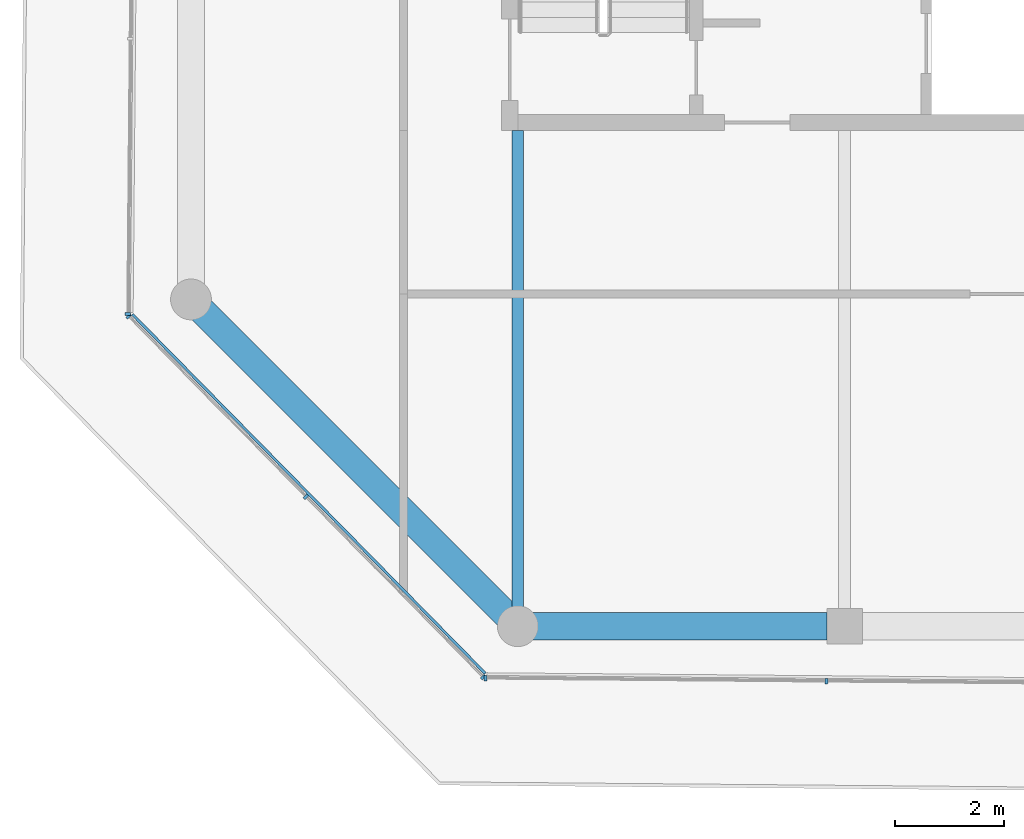
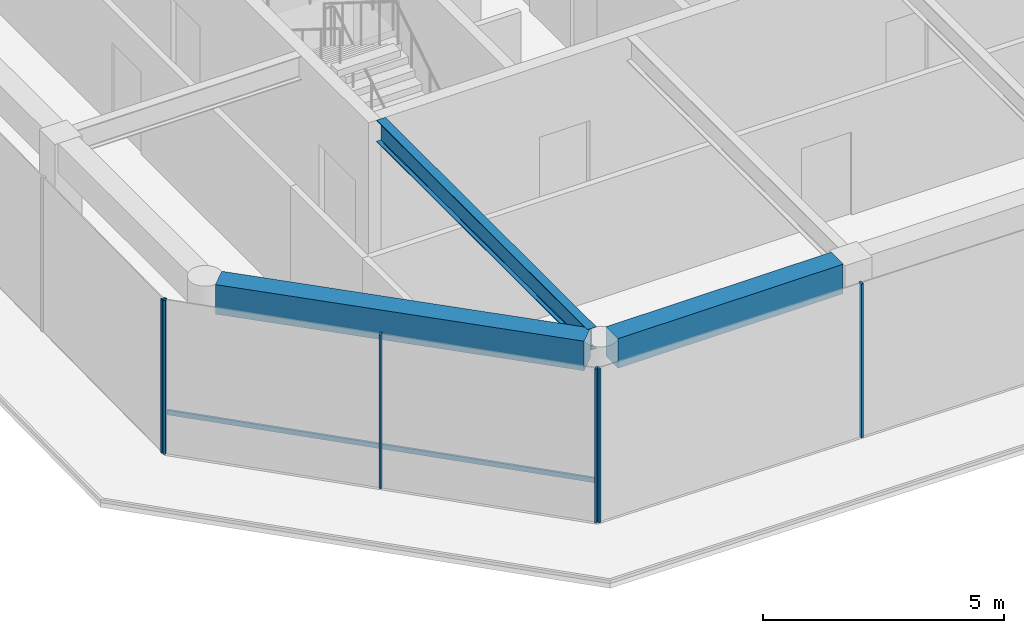
# One storey, part 2 of 17: 7 members, 3 beams, 3 elements without a shape of their own.
"""IFC4 building model written with IfcOpenShell, lengths in metres."""

from ifc_helpers import new_model, si_unit, direction, frame, origin, origin_2d, place, context, subcontext, project, spatial, rectangle, i_section, extrude, material, layer, layer_set, material_profile, profile_set, type_object, element, aggregate, save


model = new_model("IFC4")

# Units and contexts
model_context = context("Model", 3, precision=1e-05, world=origin(), true_north=direction((0.0, 1.0)))
body_context = subcontext(model_context, "Body", "Model", "MODEL_VIEW")
ifc_project = project(units=[si_unit("LENGTHUNIT", "METRE"), si_unit("AREAUNIT", "SQUARE_METRE"), si_unit("VOLUMEUNIT", "CUBIC_METRE"), si_unit("PLANEANGLEUNIT", "RADIAN"), si_unit("MASSUNIT", "GRAM", prefix="KILO")], contexts=[model_context])

# Site, building, storey
site_placement = place(None, origin())
site = spatial("IfcSite", under=ifc_project, at=site_placement, CompositionType="ELEMENT")
building_placement = place(site_placement, origin())
building = spatial("IfcBuilding", under=site, at=building_placement, Name="Welwitschia Terrace Campus", CompositionType="ELEMENT")
storey_placement = place(building_placement, frame((0.0, 0.0, 335.60009765625)))
storey = spatial("IfcBuildingStorey", under=building, at=storey_placement, Name="L75", CompositionType="ELEMENT", Elevation=335.60009765625)

# Beam
ifc_material_1 = material(Name="Steel S355", Category="steel")
ifc_material_profile_1 = material_profile(ifc_material_1, i_section(OverallWidth=0.2099609375, OverallDepth=0.550048828125, WebThickness=0.010986328125, FlangeThickness=0.01708984375, FilletRadius=0.02392578125, at=origin_2d()))
ifc_profile_set_1 = profile_set([ifc_material_profile_1], Name="Steel S355")
beam_type_1 = type_object("IfcBeamType", Name="Interior girder IPE 550", PredefinedType="BEAM", material=ifc_profile_set_1)
beam_1_placement = place(storey_placement, frame((6.0, -3.6494140625, 3.625), z_axis=(0.0, 1.0, 0.0), x_axis=(-1.0, 0.0, 0.0)))
element("IfcBeam", 1, at=beam_1_placement, inside=storey, type_object=beam_type_1, Name="Girder GB7", PredefinedType="BEAM", context=body_context, shape_type="SweptSolid", body=[
    extrude(i_section(OverallWidth=0.2099609375, OverallDepth=0.550048828125, WebThickness=0.010986328125, FlangeThickness=0.01708984375, FilletRadius=0.02392578125, at=origin_2d()), origin(), (0.0, 0.0, 1.0), 8.74853515625),
])

# Curtain wall, member
ifc_material_2 = material(Name="Bronze anodised aluminium", Category="aluminium")
ifc_layer = layer(ifc_material_2, 0.10009765625)
ifc_layer_set = layer_set([ifc_layer], Name="Bronze anodised aluminium")
curtain_wall_type = type_object("IfcCurtainWallType", Name="Curtain wall CW5 crown 6000", PredefinedType="NOTDEFINED", material=ifc_layer_set)
curtain_wall_1_placement = place(storey_placement, origin())
curtain_wall_1 = element("IfcCurtainWall", 2, at=curtain_wall_1_placement, inside=storey, type_object=curtain_wall_type, Name="CW L75.2.0", PredefinedType="NOTDEFINED")
ifc_material_3 = material(Name="Bronze anodised aluminium", Category="aluminium")
ifc_material_profile_2 = material_profile(ifc_material_3, rectangle(XDim=0.10009765625, YDim=0.050048828125, at=origin_2d()))
ifc_profile_set_2 = profile_set([ifc_material_profile_2], Name="Bronze anodised aluminium")
member_type_1 = type_object("IfcMemberType", Name="Mullion 50x100", PredefinedType="MULLION", material=ifc_profile_set_2)
member_1_placement = place(storey_placement, frame((-1.162841796875, 1.73193359375, 0.0), z_axis=(0.0, 0.0, 1.0), x_axis=(0.999961923064, -0.008726535498, 0.0)))
member_1 = element("IfcMember", 3, at=member_1_placement, type_object=member_type_1, Name="Mullion L75.2.0.3", PredefinedType="MULLION", context=body_context, shape_type="SweptSolid", body=[
    extrude(rectangle(XDim=0.10009765625, YDim=0.050048828125, at=origin_2d()), origin(), (0.0, 0.0, 1.0), 3.89990234375),
])
aggregate(curtain_wall_1, [member_1])

# Curtain wall, members
curtain_wall_2_placement = place(storey_placement, origin())
curtain_wall_2 = element("IfcCurtainWall", 4, at=curtain_wall_2_placement, inside=storey, type_object=curtain_wall_type, Name="CW L75.3.0", PredefinedType="NOTDEFINED")
member_2_placement = place(storey_placement, frame((-1.1455078125, 1.68896484375, 0.0), z_axis=(0.0, 0.0, 1.0), x_axis=(0.713250449154, 0.7009092643, 0.0)))
member_2 = element("IfcMember", 5, at=member_2_placement, type_object=member_type_1, Name="Mullion L75.3.0.0", PredefinedType="MULLION", context=body_context, shape_type="SweptSolid", body=[
    extrude(rectangle(XDim=0.10009765625, YDim=0.050048828125, at=origin_2d()), origin(), (0.0, 0.0, 1.0), 3.89990234375),
])
member_3_placement = place(storey_placement, frame((2.10986328125, -1.62353515625, 0.0), z_axis=(0.0, 0.0, 1.0), x_axis=(0.713250449154, 0.7009092643, 0.0)))
member_3 = element("IfcMember", 6, at=member_3_placement, type_object=member_type_1, Name="Mullion L75.3.0.1", PredefinedType="MULLION", context=body_context, shape_type="SweptSolid", body=[
    extrude(rectangle(XDim=0.10009765625, YDim=0.050048828125, at=origin_2d()), origin(), (0.0, 0.0, 1.0), 3.89990234375),
])
member_4_placement = place(storey_placement, frame((5.364990234375, -4.93603515625, 0.0), z_axis=(0.0, 0.0, 1.0), x_axis=(0.713250449154, 0.7009092643, 0.0)))
member_4 = element("IfcMember", 7, at=member_4_placement, type_object=member_type_1, Name="Mullion L75.3.0.2", PredefinedType="MULLION", context=body_context, shape_type="SweptSolid", body=[
    extrude(rectangle(XDim=0.10009765625, YDim=0.050048828125, at=origin_2d()), origin(), (0.0, 0.0, 1.0), 3.89990234375),
])

curtain_wall_3_placement = place(storey_placement, origin())
curtain_wall_3 = element("IfcCurtainWall", 8, at=curtain_wall_3_placement, inside=storey, type_object=curtain_wall_type, Name="CW L75.4.0", PredefinedType="NOTDEFINED")
member_5_placement = place(storey_placement, frame((5.407470703125, -4.9541015625, 0.0), z_axis=(0.0, 0.0, 1.0), x_axis=(0.008726535498, 0.999961923064, 0.0)))
member_5 = element("IfcMember", 9, at=member_5_placement, type_object=member_type_1, Name="Mullion L75.4.0.0", PredefinedType="MULLION", context=body_context, shape_type="SweptSolid", body=[
    extrude(rectangle(XDim=0.10009765625, YDim=0.050048828125, at=origin_2d()), origin(), (0.0, 0.0, 1.0), 3.89990234375),
])
member_6_placement = place(storey_placement, frame((11.666748046875, -5.0087890625, 0.0), z_axis=(0.0, 0.0, 1.0), x_axis=(0.008726535498, 0.999961923064, 0.0)))
member_6 = element("IfcMember", 10, at=member_6_placement, type_object=member_type_1, Name="Mullion L75.4.0.1", PredefinedType="MULLION", context=body_context, shape_type="SweptSolid", body=[
    extrude(rectangle(XDim=0.10009765625, YDim=0.050048828125, at=origin_2d()), origin(), (0.0, 0.0, 1.0), 3.89990234375),
])
aggregate(curtain_wall_3, [member_5, member_6])

# Beams
ifc_material_4 = material(Name="Concrete C40/50", Category="concrete")
ifc_material_profile_3 = material_profile(ifc_material_4, rectangle(XDim=0.5, YDim=0.75, at=origin_2d()))
ifc_profile_set_3 = profile_set([ifc_material_profile_3], Name="Concrete C40/50")
beam_type_2 = type_object("IfcBeamType", Name="Ring spandrel 500x750", PredefinedType="SPANDREL", material=ifc_profile_set_3)
beam_2_placement = place(storey_placement, frame((0.1982421875, 1.8017578125, 3.52490234375), z_axis=(0.707106781187, -0.707106781187, 0.0), x_axis=(0.707106781187, 0.707106781187, 0.0)))
element("IfcBeam", 11, at=beam_2_placement, inside=storey, type_object=beam_type_2, Name="Spandrel SP5", PredefinedType="SPANDREL", context=body_context, shape_type="SweptSolid", body=[
    extrude(rectangle(XDim=0.5, YDim=0.75, at=origin_2d()), origin(), (0.0, 0.0, 1.0), 7.924560546875),
])
beam_3_placement = place(storey_placement, frame((6.280517578125, -4.0, 3.52490234375), z_axis=(1.0, 0.0, 0.0), x_axis=(0.0, 1.0, 0.0)))
element("IfcBeam", 12, at=beam_3_placement, inside=storey, type_object=beam_type_2, Name="Spandrel SP5", PredefinedType="SPANDREL", context=body_context, shape_type="SweptSolid", body=[
    extrude(rectangle(XDim=0.5, YDim=0.75, at=origin_2d()), origin(), (0.0, 0.0, 1.0), 5.39404296875),
])

# Member
ifc_material_5 = material(Name="Bronze anodised aluminium", Category="aluminium")
ifc_material_profile_4 = material_profile(ifc_material_5, rectangle(XDim=0.050048828125, YDim=0.1201171875, at=origin_2d()))
ifc_profile_set_4 = profile_set([ifc_material_profile_4], Name="Bronze anodised aluminium")
member_type_2 = type_object("IfcMemberType", Name="Transom 50x120", PredefinedType="USERDEFINED", material=ifc_profile_set_4)
member_7_placement = place(storey_placement, frame((-1.074462890625, 1.7236328125, 1.0), z_axis=(0.700909275976, -0.71325043768, 0.0), x_axis=(0.71325043768, 0.700909275976, 0.0)))
member_7 = element("IfcMember", 13, at=member_7_placement, type_object=member_type_2, Name="Transom L75.3.0", ObjectType="TRANSOM", PredefinedType="USERDEFINED", context=body_context, shape_type="SweptSolid", body=[
    extrude(rectangle(XDim=0.050048828125, YDim=0.1201171875, at=origin_2d()), origin(), (0.0, 0.0, 1.0), 9.238525390625),
])

aggregate(curtain_wall_2, [member_2, member_3, member_4, member_7])

save(model, "model.ifc")
